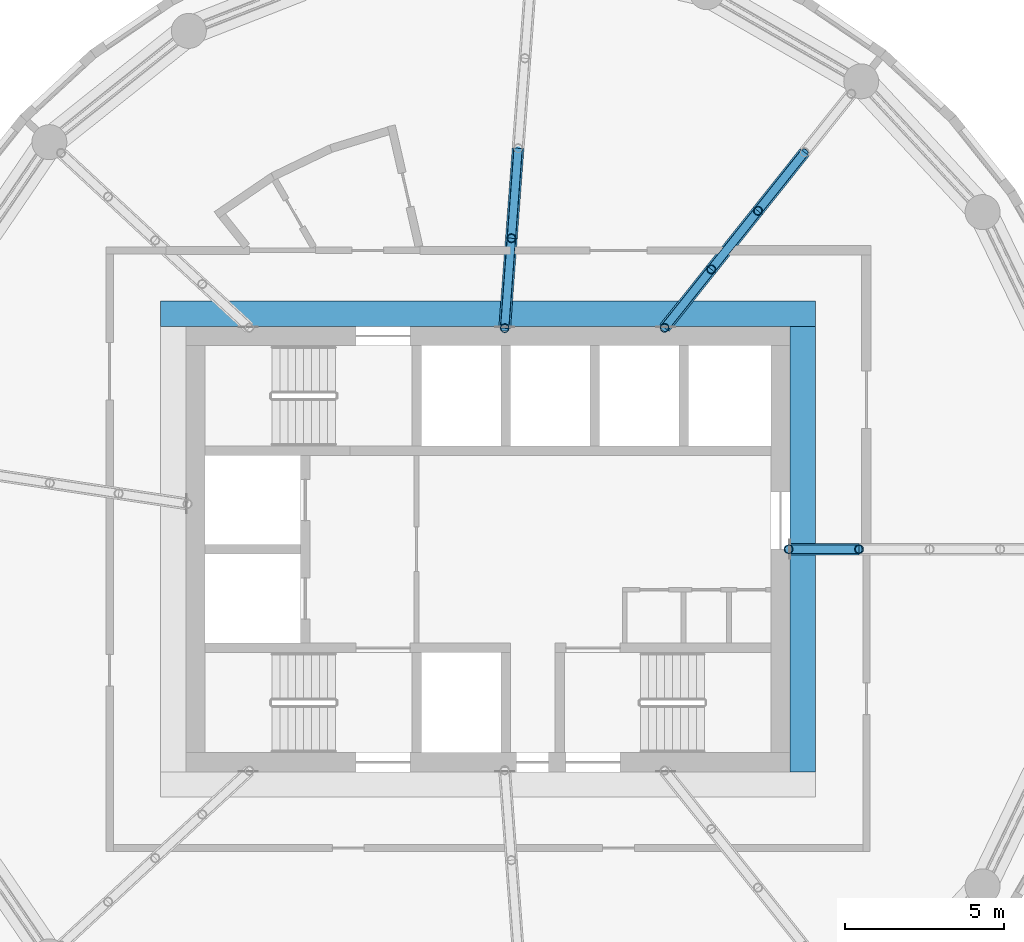
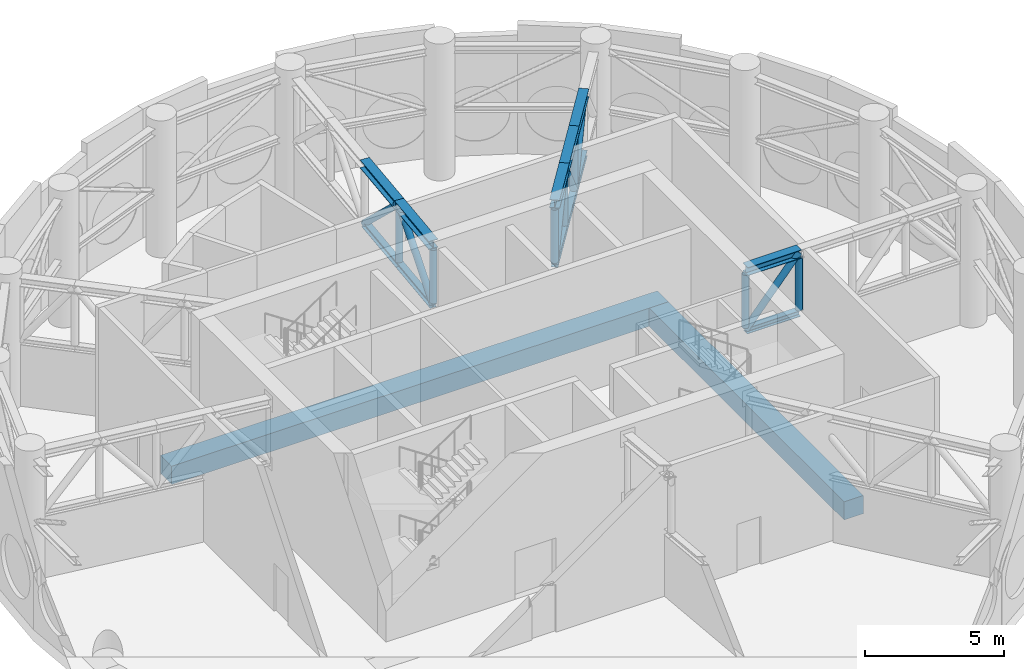
# One storey, part 4 of 13: 25 members, 2 beams.
"""IFC4 building model written with IfcOpenShell, lengths in metres."""

import ifcopenshell
import ifcopenshell.guid

model = None  # the IFC model being written
_history = None  # IfcOwnerHistory: only IFC2X3 demands one
_inside = {}  # id of a spatial element -> (the spatial element, [elements in it])
_under = {}  # id of a project, library or spatial element -> (it, [spatial elements below it])
_declared = {}  # id of a project -> (the project, [libraries it declares])
_typed = {}  # id of a type object -> (the type object, [elements of that type])
_made_of = {}  # id of a material, layer set ... -> (it, [elements and type objects made of it])


def new_model(schema):
    """Start an empty IFC model of exactly this schema.

    Asked for "IFC4X3", IfcOpenShell would pick the latest addendum, in which some entities
    have other attributes; the version numbers below select the first issue.
    IFC2X3 requires an IfcOwnerHistory on every rooted entity: one is made here for all.
    """
    global model, _history
    if schema == "IFC4X3":
        model = ifcopenshell.file(schema_version=(4, 3, 0, 0))
    else:
        model = ifcopenshell.file(schema=schema)
    _inside.clear()
    _under.clear()
    _declared.clear()
    _typed.clear()
    _made_of.clear()
    _history = None
    if model.schema == "IFC2X3":
        org = make("IfcOrganization", Name="unknown")
        user = make(
            "IfcPersonAndOrganization",
            ThePerson=make("IfcPerson", FamilyName="unknown"),
            TheOrganization=org,
        )
        app = make(
            "IfcApplication",
            ApplicationDeveloper=org,
            Version="unknown",
            ApplicationFullName="unknown",
            ApplicationIdentifier="unknown",
        )
        _history = make(
            "IfcOwnerHistory",
            OwningUser=user,
            OwningApplication=app,
            ChangeAction="ADDED",
            CreationDate=0,
        )
    return model


def make(cls, **values):
    """One entity of the class cls with the attributes given. An attribute that is None is left unset."""
    return model.create_entity(
        cls, **{name: value for name, value in values.items() if value is not None}
    )


def rooted(cls, **values):
    """An entity with a GlobalId (a new one), such as an element, a storey or a relation."""
    return make(cls, GlobalId=ifcopenshell.guid.new(), OwnerHistory=_history, **values)


def si_unit(unit_type, name, prefix=None):
    """IfcSIUnit, for example si_unit("LENGTHUNIT", "METRE", prefix="MILLI")."""
    return make("IfcSIUnit", UnitType=unit_type, Prefix=prefix, Name=name)


def assignment(units):
    """IfcUnitAssignment: the units of a project."""
    return None if units is None else make("IfcUnitAssignment", Units=units)


def point(xyz):
    """IfcCartesianPoint."""
    return None if xyz is None else make("IfcCartesianPoint", Coordinates=xyz)


def direction(xyz):
    """IfcDirection."""
    return None if xyz is None else make("IfcDirection", DirectionRatios=xyz)


def frame(location, z_axis=None, x_axis=None):
    """IfcAxis2Placement3D, a coordinate frame: its origin and axes. An axis left out is left unset."""
    return make(
        "IfcAxis2Placement3D",
        Location=point(location),
        Axis=direction(z_axis),
        RefDirection=direction(x_axis),
    )


def frame_2d(location, x_axis=None):
    """IfcAxis2Placement2D, a coordinate frame in the plane: its origin and x axis."""
    return make(
        "IfcAxis2Placement2D", Location=point(location), RefDirection=direction(x_axis)
    )


def origin():
    """The frame at (0, 0, 0) with its axes left unset."""
    return frame((0.0, 0.0, 0.0))


def origin_2d():
    """The frame at (0, 0) in the plane with its x axis left unset."""
    return frame_2d((0.0, 0.0))


def place(relative_to, where):
    """IfcLocalPlacement: puts the frame where relative to a parent placement (None: the world)."""
    return make(
        "IfcLocalPlacement", PlacementRelTo=relative_to, RelativePlacement=where
    )


def context(
    kind, dimensions, precision=None, world=None, true_north=None, identifier=None
):
    """IfcGeometricRepresentationContext, for example the 3D "Model" context."""
    return make(
        "IfcGeometricRepresentationContext",
        ContextIdentifier=identifier,
        ContextType=kind,
        CoordinateSpaceDimension=dimensions,
        Precision=precision,
        WorldCoordinateSystem=world,
        TrueNorth=true_north,
    )


def subcontext(parent, identifier, kind, view, scale=None):
    """IfcGeometricRepresentationSubContext, for example "Body" below "Model"."""
    return make(
        "IfcGeometricRepresentationSubContext",
        ContextIdentifier=identifier,
        ContextType=kind,
        ParentContext=parent,
        TargetScale=scale,
        TargetView=view,
    )


def project(units=None, contexts=None):
    """IfcProject with its units and contexts."""
    return rooted(
        "IfcProject",
        Name="project",
        RepresentationContexts=contexts,
        UnitsInContext=assignment(units),
    )


def spatial(cls, under=None, at=None, **own):
    """A site, building, storey or space (cls), placed at a placement, below another one or the project."""
    s = rooted(cls, ObjectPlacement=at, **own)
    if under is not None:
        _under.setdefault(under.id(), (under, []))[1].append(s)
    return s


def profile(cls, at=None, kind="AREA", **sizes):
    """A parametric profile (cls). Its sizes go by their IFC names, for example OverallWidth=200.0."""
    return make(cls, ProfileType=kind, Position=at, **sizes)


def rectangle(**sizes):
    """IfcRectangleProfileDef."""
    return profile("IfcRectangleProfileDef", **sizes)


def hollow_circle(**sizes):
    """IfcCircleHollowProfileDef."""
    return profile("IfcCircleHollowProfileDef", **sizes)


def i_section(**sizes):
    """IfcIShapeProfileDef."""
    return profile("IfcIShapeProfileDef", **sizes)


def extrude(swept, where, along, depth):
    """IfcExtrudedAreaSolid: the profile swept, set in the frame where, extruded along a direction by depth."""
    return make(
        "IfcExtrudedAreaSolid",
        SweptArea=swept,
        Position=where,
        ExtrudedDirection=direction(along),
        Depth=depth,
    )


def shape(context_of_items, identifier, shape_type, items):
    """IfcShapeRepresentation: the items that make up one representation, for example the "Body"."""
    return make(
        "IfcShapeRepresentation",
        ContextOfItems=context_of_items,
        RepresentationIdentifier=identifier,
        RepresentationType=shape_type,
        Items=items,
    )


def material(Name=None, Category=None):
    """IfcMaterial."""
    return make("IfcMaterial", Name=Name, Category=Category)


def material_profile(
    of_material, cross_section, Name=None, Category=None, Priority=None
):
    """IfcMaterialProfile: a cross section and its material."""
    return make(
        "IfcMaterialProfile",
        Name=Name,
        Material=of_material,
        Profile=cross_section,
        Priority=Priority,
        Category=Category,
    )


def profile_set(profiles, Name=None, composite=None):
    """IfcMaterialProfileSet."""
    return make(
        "IfcMaterialProfileSet",
        Name=Name,
        MaterialProfiles=profiles,
        CompositeProfile=composite,
    )


def made_of(thing, what):
    """Note that an element or type object is made of a material, layer set ...; save() writes the relation."""
    if what is not None:
        _made_of.setdefault(what.id(), (what, []))[1].append(thing)
    return thing


def type_object(cls, material=None, **own):
    """A type object (cls), such as IfcWallType, which elements share."""
    return made_of(rooted(cls, **own), material)


def element(
    cls,
    number,
    at=None,
    inside=None,
    cuts=None,
    type_object=None,
    material=None,
    context=None,
    identifier="Body",
    shape_type=None,
    held_by="IfcProductDefinitionShape",
    body=None,
    shapes=None,
    **own,
):
    """One element of the class cls, such as IfcWall. Its Tag is "e" and its number.

    at: its placement. inside: the storey or other place that contains it. cuts: it is an
    opening in that element (IfcRelVoidsElement). A single representation is given by context,
    identifier, shape_type and body (its items); several are given by shapes. held_by: the class
    of the entity that holds the representations. save() writes the other relations.
    """
    e = rooted(cls, Tag="e%d" % number, ObjectPlacement=at, **own)
    if body is not None:
        shapes = [shape(context, identifier, shape_type, body)]
    if shapes is not None:
        e.Representation = make(held_by, Representations=shapes)
    if inside is not None:
        _inside.setdefault(inside.id(), (inside, []))[1].append(e)
    if cuts is not None:
        rooted(
            "IfcRelVoidsElement", RelatingBuildingElement=cuts, RelatedOpeningElement=e
        )
    if type_object is not None:
        _typed.setdefault(type_object.id(), (type_object, []))[1].append(e)
    return made_of(e, material)


def aggregate(whole, parts):
    """IfcRelAggregates: a whole, such as a stair, and the parts it consists of."""
    return rooted("IfcRelAggregates", RelatingObject=whole, RelatedObjects=parts)


def save(model, path):
    """Write the relations noted so far, then the file.

    IfcRelAggregates (storeys below a building ...), IfcRelContainedInSpatialStructure (elements
    in a storey), IfcRelDefinesByType, IfcRelAssociatesMaterial and IfcRelDeclares: one each for
    every whole, place, type object, material and project.
    """
    for whole, parts in _under.values():
        aggregate(whole, parts)
    for where, things in _inside.values():
        rooted(
            "IfcRelContainedInSpatialStructure",
            RelatedElements=things,
            RelatingStructure=where,
        )
    for kind, things in _typed.values():
        rooted("IfcRelDefinesByType", RelatedObjects=things, RelatingType=kind)
    for what, things in _made_of.values():
        rooted("IfcRelAssociatesMaterial", RelatedObjects=things, RelatingMaterial=what)
    for by, libraries in _declared.values():
        rooted("IfcRelDeclares", RelatingContext=by, RelatedDefinitions=libraries)
    model.write(path)


model = new_model("IFC4")

# Units and contexts
model_context = context("Model", 3, precision=1e-05, world=origin(), true_north=direction((0.0, 1.0)))
body_context = subcontext(model_context, "Body", "Model", "MODEL_VIEW")
ifc_project = project(units=[si_unit("LENGTHUNIT", "METRE"), si_unit("AREAUNIT", "SQUARE_METRE"), si_unit("VOLUMEUNIT", "CUBIC_METRE"), si_unit("PLANEANGLEUNIT", "RADIAN"), si_unit("MASSUNIT", "GRAM", prefix="KILO")], contexts=[model_context])

# Site, building, storey
site_placement = place(None, origin())
site = spatial("IfcSite", under=ifc_project, at=site_placement, CompositionType="ELEMENT")
building_placement = place(site_placement, origin())
building = spatial("IfcBuilding", under=site, at=building_placement, Name="Tracery Tower", CompositionType="ELEMENT")
storey_placement = place(building_placement, frame((0.0, 0.0, 277.800048828125)))
storey = spatial("IfcBuildingStorey", under=building, at=storey_placement, Name="L72 Plant", CompositionType="ELEMENT", Elevation=277.800048828125)

# Beams
ifc_material_1 = material(Name="Concrete C40/50", Category="concrete")
ifc_material_profile_1 = material_profile(ifc_material_1, rectangle(XDim=0.800048828125, YDim=0.800048828125, at=origin_2d()), Name="RC 800x800")
ifc_profile_set_1 = profile_set([ifc_material_profile_1], Name="Concrete C40/50")
beam_type = type_object("IfcBeamType", Name="Core slab edge beam 800x800", PredefinedType="BEAM", material=ifc_profile_set_1)
beam_1_placement = place(storey_placement, frame((-10.300048828125, 7.39990234375, -0.900146484375), z_axis=(1.0, 0.0, 0.0), x_axis=(0.0, 1.0, 0.0)))
element("IfcBeam", 1, at=beam_1_placement, inside=storey, type_object=beam_type, Name="Core hole edge beam N at L72 Plant", PredefinedType="BEAM", context=body_context, shape_type="SweptSolid", body=[
    extrude(rectangle(XDim=0.800048828125, YDim=0.800048828125, at=origin_2d()), origin(), (0.0, 0.0, 1.0), 20.60009765625),
])
beam_2_placement = place(storey_placement, frame((9.89990234375, -7.0, -0.900146484375), z_axis=(0.0, 1.0, 0.0), x_axis=(-1.0, 0.0, 0.0)))
element("IfcBeam", 2, at=beam_2_placement, inside=storey, type_object=beam_type, Name="Core hole edge beam E at L72 Plant", PredefinedType="BEAM", context=body_context, shape_type="SweptSolid", body=[
    extrude(rectangle(XDim=0.800048828125, YDim=0.800048828125, at=origin_2d()), origin(), (0.0, 0.0, 1.0), 14.0),
])

# Members
ifc_material_2 = material(Name="Steel S355", Category="steel")
ifc_material_profile_2 = material_profile(ifc_material_2, i_section(OverallWidth=0.25634765625, OverallDepth=0.26025390625, WebThickness=0.01025390625, FlangeThickness=0.017333984375, FilletRadius=0.0126953125, at=origin_2d()), Name="UKC 254x254x89")
ifc_profile_set_2 = profile_set([ifc_material_profile_2], Name="Steel S355")
member_type_1 = type_object("IfcMemberType", Name="Outrigger bottom chord UKC 254x254x89", PredefinedType="CHORD", material=ifc_profile_set_2)
member_1_placement = place(storey_placement, frame((9.449951171875, 0.0, 2.830078125), z_axis=(1.0, 0.0, 0.0), x_axis=(0.0, 1.0, 0.0)))
element("IfcMember", 3, at=member_1_placement, inside=storey, type_object=member_type_1, Name="Outrigger 1 bottom chord 1", PredefinedType="CHORD", context=body_context, shape_type="SweptSolid", body=[
    extrude(i_section(OverallWidth=0.25634765625, OverallDepth=0.26025390625, WebThickness=0.01025390625, FlangeThickness=0.017333984375, FilletRadius=0.0126953125, at=origin_2d()), origin(), (0.0, 0.0, 1.0), 2.21826171875),
])
member_2_placement = place(storey_placement, frame((5.551025390625, 6.9609375, 2.830078125), z_axis=(0.62350584612, 0.781818687328, 0.0), x_axis=(-0.781818687328, 0.62350584612, 0.0)))
element("IfcMember", 4, at=member_2_placement, inside=storey, type_object=member_type_1, Name="Outrigger 2 bottom chord 1", PredefinedType="CHORD", context=body_context, shape_type="SweptSolid", body=[
    extrude(i_section(OverallWidth=0.25634765625, OverallDepth=0.26025390625, WebThickness=0.01025390625, FlangeThickness=0.017333984375, FilletRadius=0.0126953125, at=origin_2d()), origin(), (0.0, 0.0, 1.0), 2.354736328125),
])
member_3_placement = place(storey_placement, frame((7.019287109375, 8.802001953125, 2.830078125), z_axis=(0.62349301202, 0.781828922439, 0.0), x_axis=(-0.781828922439, 0.62349301202, 0.0)))
element("IfcMember", 5, at=member_3_placement, inside=storey, type_object=member_type_1, Name="Outrigger 2 bottom chord 2", PredefinedType="CHORD", context=body_context, shape_type="SweptSolid", body=[
    extrude(i_section(OverallWidth=0.25634765625, OverallDepth=0.26025390625, WebThickness=0.01025390625, FlangeThickness=0.017333984375, FilletRadius=0.0126953125, at=origin_2d()), origin(), (0.0, 0.0, 1.0), 2.3544921875),
])
member_4_placement = place(storey_placement, frame((8.4873046875, 10.642822265625, 2.830078125), z_axis=(0.62350584612, 0.781818687328, 0.0), x_axis=(-0.781818687328, 0.62350584612, 0.0)))
element("IfcMember", 6, at=member_4_placement, inside=storey, type_object=member_type_1, Name="Outrigger 2 bottom chord 3", PredefinedType="CHORD", context=body_context, shape_type="SweptSolid", body=[
    extrude(i_section(OverallWidth=0.25634765625, OverallDepth=0.26025390625, WebThickness=0.01025390625, FlangeThickness=0.017333984375, FilletRadius=0.0126953125, at=origin_2d()), origin(), (0.0, 0.0, 1.0), 2.354736328125),
])
for number, where, z_axis, x_axis, name in (
    (7, (0.52099609375, 6.9501953125, 2.830078125), (0.074663780517, 0.997208764441, 0.0), (-0.997208764441, 0.074663780517, 0.0), "Outrigger 3 bottom chord 1"),
    (8, (0.73291015625, 9.780517578125, 2.830078125), (0.074755730669, 0.997201875616, 0.0), (-0.997201875616, 0.074755730669, 0.0), "Outrigger 3 bottom chord 2"),
):
    element("IfcMember", number, at=place(storey_placement, frame(where, z_axis=z_axis, x_axis=x_axis)), inside=storey, type_object=member_type_1, Name=name, PredefinedType="CHORD", context=body_context, shape_type="SweptSolid", body=[
        extrude(i_section(OverallWidth=0.25634765625, OverallDepth=0.26025390625, WebThickness=0.01025390625, FlangeThickness=0.017333984375, FilletRadius=0.0126953125, at=origin_2d()), origin(), (0.0, 0.0, 1.0), 2.838134765625),
    ])
ifc_material_3 = material(Name="Steel S355", Category="steel")
ifc_material_profile_3 = material_profile(ifc_material_3, hollow_circle(Radius=0.136474609375, WallThickness=0.012451171875, at=origin_2d()), Name="CHS 273x12.5")
ifc_profile_set_3 = profile_set([ifc_material_profile_3], Name="Steel S355")
member_type_2 = type_object("IfcMemberType", Name="Outrigger diagonal CHS 273x12.5", PredefinedType="BRACE", material=ifc_profile_set_3)
member_5_placement = place(storey_placement, frame((9.449951171875, 0.0, 2.830078125), z_axis=(0.643459444571, 0.0, 0.765480204311), x_axis=(0.0, 1.0, 0.0)))
element("IfcMember", 9, at=member_5_placement, inside=storey, type_object=member_type_2, Name="Outrigger 1 diagonal 1", PredefinedType="BRACE", context=body_context, shape_type="SweptSolid", body=[
    extrude(hollow_circle(Radius=0.136474609375, WallThickness=0.012451171875, at=origin_2d()), origin(), (0.0, 0.0, 1.0), 3.447509765625),
])
member_6_placement = place(storey_placement, frame((5.551025390625, 6.9609375, 2.830078125), z_axis=(0.415134576076, 0.520540378814, 0.746123982841), x_axis=(-0.781818687328, 0.62350584612, 0.0)))
element("IfcMember", 10, at=member_6_placement, inside=storey, type_object=member_type_2, Name="Outrigger 2 diagonal 1", PredefinedType="BRACE", context=body_context, shape_type="SweptSolid", body=[
    extrude(hollow_circle(Radius=0.136474609375, WallThickness=0.012451171875, at=origin_2d()), origin(), (0.0, 0.0, 1.0), 3.536865234375),
])
member_7_placement = place(storey_placement, frame((7.019287109375, 8.802001953125, 5.468994140625), z_axis=(0.415092356835, 0.520504967659, -0.74617217446), x_axis=(-0.781828922439, 0.62349301202, 0.0)))
element("IfcMember", 11, at=member_7_placement, inside=storey, type_object=member_type_2, Name="Outrigger 2 diagonal 2", PredefinedType="BRACE", context=body_context, shape_type="SweptSolid", body=[
    extrude(hollow_circle(Radius=0.136474609375, WallThickness=0.012451171875, at=origin_2d()), origin(), (0.0, 0.0, 1.0), 3.53662109375),
])
member_8_placement = place(storey_placement, frame((8.4873046875, 10.642822265625, 2.830078125), z_axis=(0.415134576076, 0.520540378814, 0.746123982841), x_axis=(-0.781818687328, 0.62350584612, 0.0)))
element("IfcMember", 12, at=member_8_placement, inside=storey, type_object=member_type_2, Name="Outrigger 2 diagonal 3", PredefinedType="BRACE", context=body_context, shape_type="SweptSolid", body=[
    extrude(hollow_circle(Radius=0.136474609375, WallThickness=0.012451171875, at=origin_2d()), origin(), (0.0, 0.0, 1.0), 3.536865234375),
])
member_9_placement = place(storey_placement, frame((0.52099609375, 6.9501953125, 2.830078125), z_axis=(0.05468042774, 0.730311288925, 0.680922515483), x_axis=(-0.997208764441, 0.074663780517, 0.0)))
element("IfcMember", 13, at=member_9_placement, inside=storey, type_object=member_type_2, Name="Outrigger 3 diagonal 1", PredefinedType="BRACE", context=body_context, shape_type="SweptSolid", body=[
    extrude(hollow_circle(Radius=0.136474609375, WallThickness=0.012451171875, at=origin_2d()), origin(), (0.0, 0.0, 1.0), 3.87548828125),
])
member_10_placement = place(storey_placement, frame((0.73291015625, 9.780517578125, 5.468994140625), z_axis=(0.054745753543, 0.730279372928, -0.68095149603), x_axis=(-0.997201875616, 0.074755730669, 0.0)))
element("IfcMember", 14, at=member_10_placement, inside=storey, type_object=member_type_2, Name="Outrigger 3 diagonal 2", PredefinedType="BRACE", context=body_context, shape_type="SweptSolid", body=[
    extrude(hollow_circle(Radius=0.136474609375, WallThickness=0.012451171875, at=origin_2d()), origin(), (0.0, 0.0, 1.0), 3.875244140625),
])
ifc_material_4 = material(Name="Steel S355", Category="steel")
ifc_material_profile_4 = material_profile(ifc_material_4, hollow_circle(Radius=0.136474609375, WallThickness=0.012451171875, at=origin_2d()), Name="CHS 273x12.5")
ifc_profile_set_4 = profile_set([ifc_material_profile_4], Name="Steel S355")
member_type_3 = type_object("IfcMemberType", Name="Outrigger post CHS 273x12.5", PredefinedType="POST", material=ifc_profile_set_4)
for number, where, z_axis, x_axis, name in (
    (15, (9.449951171875, 0.0, 2.960205078125), (0.0, 0.0, 1.0), (1.0, 0.0, 0.0), "Outrigger 1 post 1"),
    (16, (11.668212890625, 0.0, 2.960205078125), (0.0, 0.0, 1.0), (1.0, 0.0, 0.0), "Outrigger 1 post 2"),
    (17, (5.551025390625, 6.9609375, 2.960205078125), (0.0, 0.0, 1.0), (1.0, 0.0, 0.0), "Outrigger 2 post 1"),
    (18, (7.019287109375, 8.802001953125, 2.960205078125), (0.0, 0.0, 1.0), (1.0, 0.0, 0.0), "Outrigger 2 post 2"),
    (19, (8.4873046875, 10.642822265625, 2.960205078125), (0.0, 0.0, 1.0), (1.0, 0.0, 0.0), "Outrigger 2 post 3"),
    (20, (0.52099609375, 6.9501953125, 2.960205078125), (0.0, 0.0, 1.0), (1.0, 0.0, 0.0), "Outrigger 3 post 1"),
    (21, (0.73291015625, 9.780517578125, 2.960205078125), (0.0, 0.0, 1.0), (1.0, 0.0, 0.0), "Outrigger 3 post 2"),
):
    element("IfcMember", number, at=place(storey_placement, frame(where, z_axis=z_axis, x_axis=x_axis)), inside=storey, type_object=member_type_3, Name=name, PredefinedType="POST", context=body_context, shape_type="SweptSolid", body=[
        extrude(hollow_circle(Radius=0.136474609375, WallThickness=0.012451171875, at=origin_2d()), origin(), (0.0, 0.0, 1.0), 2.32763671875),
    ])
ifc_material_5 = material(Name="Steel S355", Category="steel")
ifc_material_profile_5 = material_profile(ifc_material_5, i_section(OverallWidth=0.37060546875, OverallDepth=0.362060546875, WebThickness=0.01220703125, FlangeThickness=0.020751953125, FilletRadius=0.01513671875, at=origin_2d()), Name="UKC 356x368x153")
ifc_profile_set_5 = profile_set([ifc_material_profile_5], Name="Steel S355")
member_type_4 = type_object("IfcMemberType", Name="Outrigger top chord UKC 356x368x153", PredefinedType="CHORD", material=ifc_profile_set_5)
member_11_placement = place(storey_placement, frame((9.449951171875, 0.0, 5.468994140625), z_axis=(1.0, 0.0, 0.0), x_axis=(0.0, 1.0, 0.0)))
element("IfcMember", 22, at=member_11_placement, inside=storey, type_object=member_type_4, Name="Outrigger 1 top chord 1", PredefinedType="CHORD", context=body_context, shape_type="SweptSolid", body=[
    extrude(i_section(OverallWidth=0.37060546875, OverallDepth=0.362060546875, WebThickness=0.01220703125, FlangeThickness=0.020751953125, FilletRadius=0.01513671875, at=origin_2d()), origin(), (0.0, 0.0, 1.0), 2.21826171875),
])
member_12_placement = place(storey_placement, frame((5.551025390625, 6.9609375, 5.468994140625), z_axis=(0.62350584612, 0.781818687328, 0.0), x_axis=(-0.781818687328, 0.62350584612, 0.0)))
element("IfcMember", 23, at=member_12_placement, inside=storey, type_object=member_type_4, Name="Outrigger 2 top chord 1", PredefinedType="CHORD", context=body_context, shape_type="SweptSolid", body=[
    extrude(i_section(OverallWidth=0.37060546875, OverallDepth=0.362060546875, WebThickness=0.01220703125, FlangeThickness=0.020751953125, FilletRadius=0.01513671875, at=origin_2d()), origin(), (0.0, 0.0, 1.0), 2.354736328125),
])
member_13_placement = place(storey_placement, frame((7.019287109375, 8.802001953125, 5.468994140625), z_axis=(0.62349301202, 0.781828922439, 0.0), x_axis=(-0.781828922439, 0.62349301202, 0.0)))
element("IfcMember", 24, at=member_13_placement, inside=storey, type_object=member_type_4, Name="Outrigger 2 top chord 2", PredefinedType="CHORD", context=body_context, shape_type="SweptSolid", body=[
    extrude(i_section(OverallWidth=0.37060546875, OverallDepth=0.362060546875, WebThickness=0.01220703125, FlangeThickness=0.020751953125, FilletRadius=0.01513671875, at=origin_2d()), origin(), (0.0, 0.0, 1.0), 2.3544921875),
])
member_14_placement = place(storey_placement, frame((8.4873046875, 10.642822265625, 5.468994140625), z_axis=(0.62350584612, 0.781818687328, 0.0), x_axis=(-0.781818687328, 0.62350584612, 0.0)))
element("IfcMember", 25, at=member_14_placement, inside=storey, type_object=member_type_4, Name="Outrigger 2 top chord 3", PredefinedType="CHORD", context=body_context, shape_type="SweptSolid", body=[
    extrude(i_section(OverallWidth=0.37060546875, OverallDepth=0.362060546875, WebThickness=0.01220703125, FlangeThickness=0.020751953125, FilletRadius=0.01513671875, at=origin_2d()), origin(), (0.0, 0.0, 1.0), 2.354736328125),
])
for number, where, z_axis, x_axis, name in (
    (26, (0.52099609375, 6.9501953125, 5.468994140625), (0.074663780517, 0.997208764441, 0.0), (-0.997208764441, 0.074663780517, 0.0), "Outrigger 3 top chord 1"),
    (27, (0.73291015625, 9.780517578125, 5.468994140625), (0.074755730669, 0.997201875616, 0.0), (-0.997201875616, 0.074755730669, 0.0), "Outrigger 3 top chord 2"),
):
    element("IfcMember", number, at=place(storey_placement, frame(where, z_axis=z_axis, x_axis=x_axis)), inside=storey, type_object=member_type_4, Name=name, PredefinedType="CHORD", context=body_context, shape_type="SweptSolid", body=[
        extrude(i_section(OverallWidth=0.37060546875, OverallDepth=0.362060546875, WebThickness=0.01220703125, FlangeThickness=0.020751953125, FilletRadius=0.01513671875, at=origin_2d()), origin(), (0.0, 0.0, 1.0), 2.838134765625),
    ])

save(model, "model.ifc")
